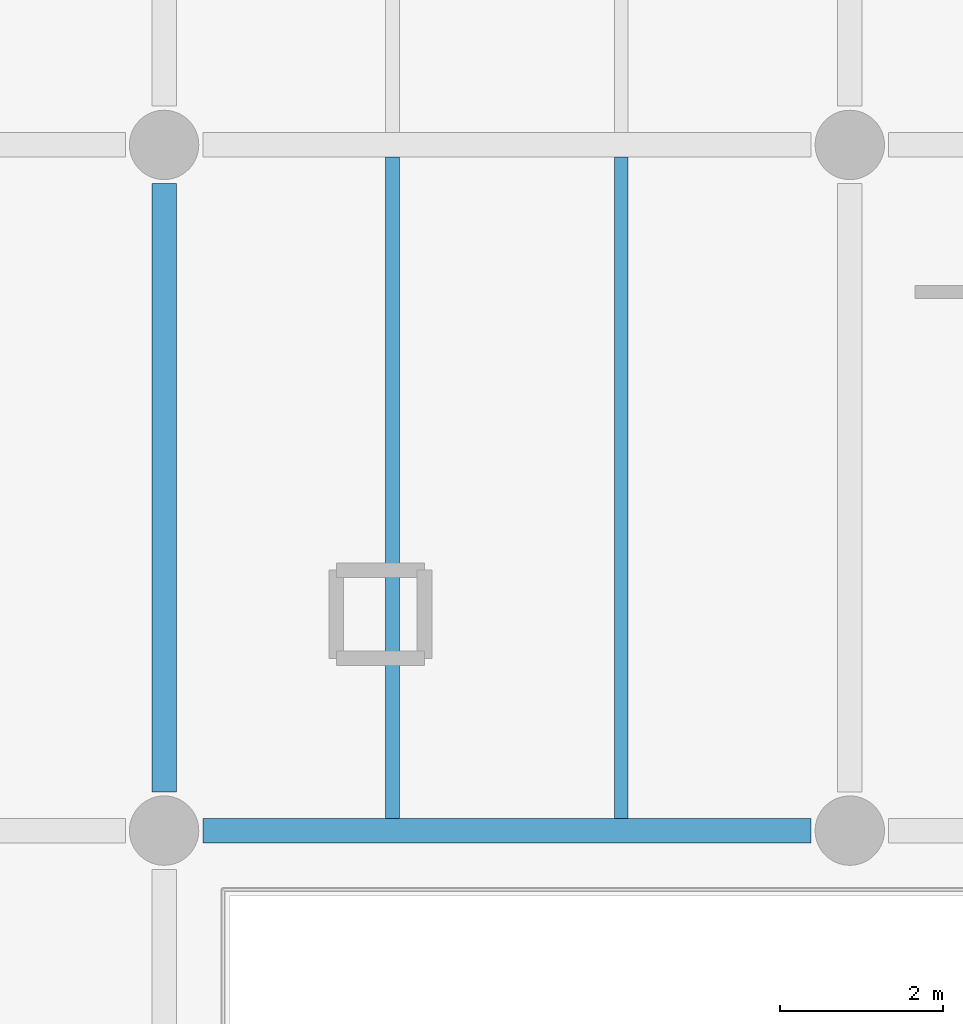
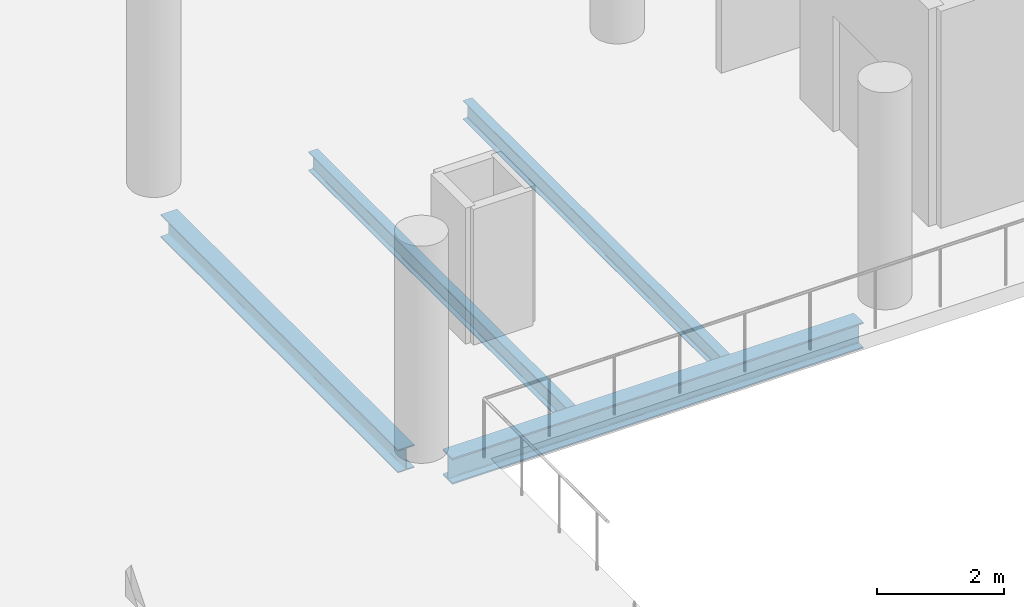
# One storey, part 55 of 177: 4 beams.
"""IFC4 building model written with IfcOpenShell, lengths in metres."""

from ifc_helpers import new_model, si_unit, direction, frame, origin, origin_2d, place, context, subcontext, project, spatial, i_section, extrude, material, material_profile, profile_set, type_object, element, save


model = new_model("IFC4")

# Units and contexts
model_context = context("Model", 3, precision=1e-05, world=origin(), true_north=direction((0.0, 1.0)))
body_context = subcontext(model_context, "Body", "Model", "MODEL_VIEW")
ifc_project = project(units=[si_unit("LENGTHUNIT", "METRE"), si_unit("AREAUNIT", "SQUARE_METRE"), si_unit("VOLUMEUNIT", "CUBIC_METRE"), si_unit("PLANEANGLEUNIT", "RADIAN"), si_unit("MASSUNIT", "GRAM", prefix="KILO"), si_unit("THERMODYNAMICTEMPERATUREUNIT", "KELVIN"), si_unit("POWERUNIT", "WATT")], contexts=[model_context])

# Site, building, storey
site_placement = place(None, origin())
site = spatial("IfcSite", under=ifc_project, at=site_placement, CompositionType="ELEMENT")
building_placement = place(site_placement, origin())
building = spatial("IfcBuilding", under=site, at=building_placement, Name="Mavoryth Pier Ferry Terminal", CompositionType="ELEMENT")
storey_placement = place(building_placement, frame((0.0, 0.0, 5.43994140625)))
storey = spatial("IfcBuildingStorey", under=building, at=storey_placement, Name="L01", CompositionType="ELEMENT", Elevation=5.43994140625)

# Beams
ifc_material = material(Name="Steel S355J2", Category="steel")
ifc_material_profile_1 = material_profile(ifc_material, i_section(OverallWidth=0.300048828125, OverallDepth=0.43994140625, WebThickness=0.011474609375, FlangeThickness=0.02099609375, FilletRadius=0.027099609375, at=origin_2d()), Name="HEA 450", Category="steel")
ifc_profile_set_1 = profile_set([ifc_material_profile_1], Name="Steel S355J2 - HEA 450")
beam_type_1 = type_object("IfcBeamType", Name="Beam-Steel-HEA450", PredefinedType="BEAM", material=ifc_profile_set_1)
beam_1_placement = place(storey_placement, frame((8.39990234375, 81.27490234375, -0.5), z_axis=(0.0, 1.0, 0.0), x_axis=(-1.0, 0.0, 0.0)))
element("IfcBeam", 1, at=beam_1_placement, inside=storey, type_object=beam_type_1, Name="Beam B01-SB03-0089", PredefinedType="BEAM", context=body_context, shape_type="SweptSolid", body=[
    extrude(i_section(OverallWidth=0.300048828125, OverallDepth=0.43994140625, WebThickness=0.011474609375, FlangeThickness=0.02099609375, FilletRadius=0.027099609375, at=origin_2d()), origin(), (0.0, 0.0, 1.0), 7.4501953125),
])
ifc_material_profile_2 = material_profile(ifc_material, i_section(OverallWidth=0.300048828125, OverallDepth=0.5, WebThickness=0.014404296875, FlangeThickness=0.028076171875, FilletRadius=0.027099609375, at=origin_2d()), Name="HEB 500", Category="steel")
ifc_profile_set_2 = profile_set([ifc_material_profile_2], Name="Steel S355J2 - HEB 500")
beam_type_2 = type_object("IfcBeamType", Name="Beam-Steel-HEB500", PredefinedType="BEAM", material=ifc_profile_set_2)
beam_2_placement = place(storey_placement, frame((8.875, 80.800048828125, -0.530029296875), z_axis=(1.0, 0.0, 0.0), x_axis=(0.0, 1.0, 0.0)))
element("IfcBeam", 2, at=beam_2_placement, inside=storey, type_object=beam_type_2, Name="Beam B01-SB01-0063", PredefinedType="BEAM", context=body_context, shape_type="SweptSolid", body=[
    extrude(i_section(OverallWidth=0.300048828125, OverallDepth=0.5, WebThickness=0.014404296875, FlangeThickness=0.028076171875, FilletRadius=0.027099609375, at=origin_2d()), origin(), (0.0, 0.0, 1.0), 7.449951171875),
])
ifc_material_profile_3 = material_profile(ifc_material, i_section(OverallWidth=0.169921875, OverallDepth=0.360107421875, WebThickness=0.008056640625, FlangeThickness=0.0126953125, FilletRadius=0.01806640625, at=origin_2d()), Name="IPE 360", Category="steel")
ifc_profile_set_3 = profile_set([ifc_material_profile_3], Name="Steel S355J2 - IPE 360")
beam_type_3 = type_object("IfcBeamType", Name="Joist-Steel-IPE360", PredefinedType="JOIST", material=ifc_profile_set_3)
for number, where, z_axis, x_axis, name in (
    (3, (11.199951171875, 80.949951171875, -0.4599609375), (0.0, 1.0, 0.0), (-1.0, 0.0, 0.0), "Beam B01-SJ02-0123"),
    (4, (14.0, 80.949951171875, -0.4599609375), (0.0, 1.0, 0.0), (-1.0, 0.0, 0.0), "Beam B01-SJ02-0124"),
):
    element("IfcBeam", number, at=place(storey_placement, frame(where, z_axis=z_axis, x_axis=x_axis)), inside=storey, type_object=beam_type_3, Name=name, PredefinedType="JOIST", context=body_context, shape_type="SweptSolid", body=[
        extrude(i_section(OverallWidth=0.169921875, OverallDepth=0.360107421875, WebThickness=0.008056640625, FlangeThickness=0.0126953125, FilletRadius=0.01806640625, at=origin_2d()), origin(), (0.0, 0.0, 1.0), 8.10009765625),
    ])

save(model, "model.ifc")
